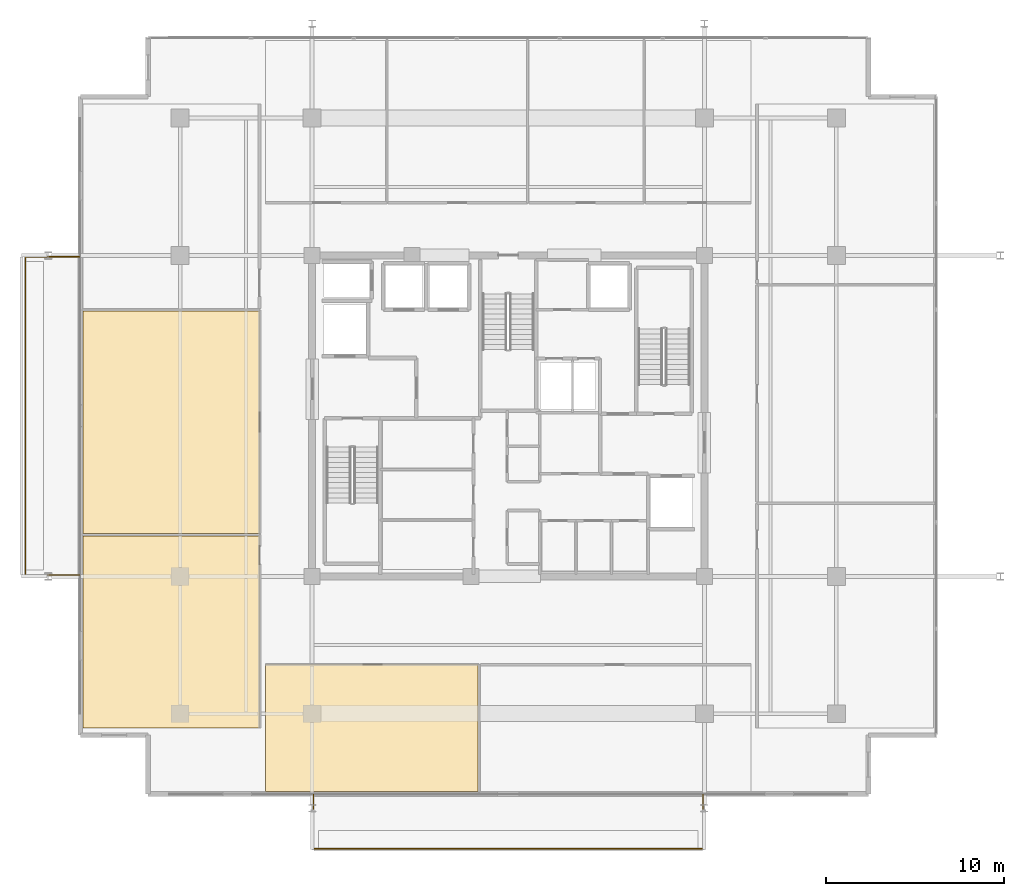
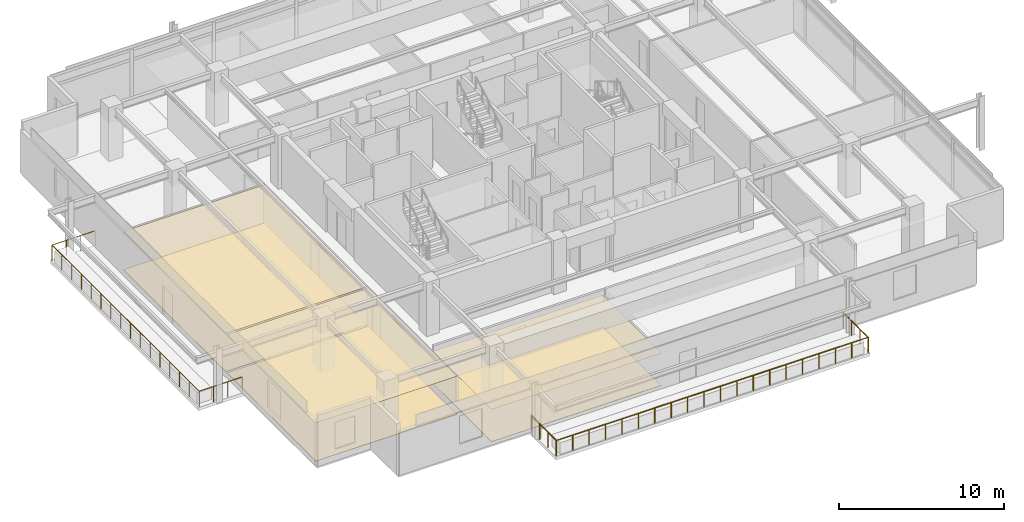
# One storey, part 17 of 20: 6 coverings, 2 railings.
"""IFC4 building model written with IfcOpenShell, lengths in metres."""

from ifc_helpers import new_model, si_unit, direction, frame, origin, origin_2d, place, context, subcontext, project, spatial, polyline, circle, outline, extrude, material, layer, layer_set, type_object, element, save


model = new_model("IFC4")

# Units and contexts
model_context = context("Model", 3, precision=1e-05, world=origin(), true_north=direction((0.0, 1.0)))
body_context = subcontext(model_context, "Body", "Model", "MODEL_VIEW")
ifc_project = project(units=[si_unit("LENGTHUNIT", "METRE"), si_unit("AREAUNIT", "SQUARE_METRE"), si_unit("VOLUMEUNIT", "CUBIC_METRE"), si_unit("PLANEANGLEUNIT", "RADIAN"), si_unit("MASSUNIT", "GRAM", prefix="KILO")], contexts=[model_context])

# Site, building, storey
site_placement = place(None, origin())
site = spatial("IfcSite", under=ifc_project, at=site_placement, CompositionType="ELEMENT")
building_placement = place(site_placement, origin())
building = spatial("IfcBuilding", under=site, at=building_placement, Name="Kovane Verandah Tower", CompositionType="ELEMENT")
storey_placement = place(building_placement, frame((0.0, 0.0, 306.800048828125)))
storey = spatial("IfcBuildingStorey", under=building, at=storey_placement, Name="L71", CompositionType="ELEMENT", Elevation=306.800048828125)

# Coverings
ifc_material_1 = material(Name="Perforated Acoustic Mineral-Fibre Ceiling Tile", Category="gypsum")
ifc_layer_1 = layer(ifc_material_1, 0.02490234375)
ifc_layer_set_1 = layer_set([ifc_layer_1], Name="Perforated Acoustic Mineral-Fibre Ceiling Tile")
covering_type_1 = type_object("IfcCoveringType", Name="CV-CEIL-25", PredefinedType="CEILING", material=ifc_layer_set_1)
covering_1_placement = place(storey_placement, frame((0.0, 0.0, 2.389892578125)))
element("IfcCovering", 1, at=covering_1_placement, inside=storey, type_object=covering_type_1, Name="L71 Collaboration Hub S1 Acoustic Ceiling", PredefinedType="CEILING", context=body_context, shape_type="SweptSolid", body=[
    extrude(outline(polyline([(26.39990234375, 6.449951171875), (38.298095703125, 6.449951171875), (38.298095703125, 13.550048828125), (26.39990234375, 13.550048828125), (26.39990234375, 6.449951171875)])), origin(), (0.0, 0.0, 1.0), 0.025146484375),
])
covering_2_placement = place(storey_placement, frame((0.0, 0.0, 2.824951171875)))
element("IfcCovering", 2, at=covering_2_placement, inside=storey, type_object=covering_type_1, Name="L71 Open Plan Office W1 Acoustic Ceiling", PredefinedType="CEILING", context=body_context, shape_type="SweptSolid", body=[
    extrude(outline(polyline([(16.14990234375, 10.0), (26.050048828125, 10.0), (26.050048828125, 20.780029296875), (16.14990234375, 20.780029296875), (16.14990234375, 10.0)])), origin(), (0.0, 0.0, 1.0), 0.02490234375),
])
covering_3_placement = place(storey_placement, frame((0.0, 0.0, 2.824951171875)))
element("IfcCovering", 3, at=covering_3_placement, inside=storey, type_object=covering_type_1, Name="L71 Executive Office W2 Acoustic Ceiling", PredefinedType="CEILING", context=body_context, shape_type="SweptSolid", body=[
    extrude(outline(polyline([(16.14990234375, 20.919921875), (26.050048828125, 20.919921875), (26.050048828125, 33.3798828125), (16.14990234375, 33.3798828125), (16.14990234375, 20.919921875)])), origin(), (0.0, 0.0, 1.0), 0.02490234375),
])
ifc_material_2 = material(Name="Polished Terrazzo and Raised-Access Carpet Tile Finish", Category="concrete")
ifc_layer_2 = layer(ifc_material_2, 0.030029296875)
ifc_layer_set_2 = layer_set([ifc_layer_2], Name="Polished Terrazzo and Raised-Access Carpet Tile Finish")
covering_type_2 = type_object("IfcCoveringType", Name="CV-FLOR-30", PredefinedType="FLOORING", material=ifc_layer_set_2)
covering_4_placement = place(storey_placement, origin())
element("IfcCovering", 4, at=covering_4_placement, inside=storey, type_object=covering_type_2, Name="L71 Collaboration Hub S1 Floor Finish", PredefinedType="FLOORING", context=body_context, shape_type="SweptSolid", body=[
    extrude(outline(polyline([(26.39990234375, 6.449951171875), (38.298095703125, 6.449951171875), (38.298095703125, 13.550048828125), (26.39990234375, 13.550048828125), (26.39990234375, 6.449951171875)])), origin(), (0.0, 0.0, 1.0), 0.030029296875),
])
covering_5_placement = place(storey_placement, origin())
element("IfcCovering", 5, at=covering_5_placement, inside=storey, type_object=covering_type_2, Name="L71 Open Plan Office W1 Floor Finish", PredefinedType="FLOORING", context=body_context, shape_type="SweptSolid", body=[
    extrude(outline(polyline([(16.14990234375, 10.0), (26.050048828125, 10.0), (26.050048828125, 20.780029296875), (16.14990234375, 20.780029296875), (16.14990234375, 10.0)])), origin(), (0.0, 0.0, 1.0), 0.030029296875),
])
covering_6_placement = place(storey_placement, origin())
element("IfcCovering", 6, at=covering_6_placement, inside=storey, type_object=covering_type_2, Name="L71 Executive Office W2 Floor Finish", PredefinedType="FLOORING", context=body_context, shape_type="SweptSolid", body=[
    extrude(outline(polyline([(16.14990234375, 20.919921875), (26.050048828125, 20.919921875), (26.050048828125, 33.3798828125), (16.14990234375, 33.3798828125), (16.14990234375, 20.919921875)])), origin(), (0.0, 0.0, 1.0), 0.030029296875),
])

# Railings
ifc_material_3 = material(Name="Laminated Glass and Pale-Champagne Stainless Balustrade", Category="glass")
railing_type = type_object("IfcRailingType", Name="RL-BAL-1150", PredefinedType="BALUSTRADE", material=ifc_material_3)
railing_1_placement = place(storey_placement, frame((29.080078125, 6.25, 0.0)))
element("IfcRailing", 7, at=railing_1_placement, inside=storey, type_object=railing_type, Name="L71 S Verandah Glass Balustrade", PredefinedType="BALUSTRADE", context=body_context, shape_type="SweptSolid", body=[
    extrude(circle(Radius=0.02392578125, at=origin_2d()), frame((0.0, 0.0, 1.1259765625), z_axis=(0.0, -1.0, 0.0), x_axis=(1.0, 0.0, 0.0)), (0.0, 0.0, 1.0), 3.02001953125),
    extrude(circle(Radius=0.02392578125, at=origin_2d()), frame((0.0, -3.02001953125, 1.1259765625), z_axis=(1.0, 0.0, 0.0), x_axis=(0.0, 1.0, 0.0)), (0.0, 0.0, 1.0), 21.83984375),
    extrude(circle(Radius=0.02392578125, at=origin_2d()), frame((21.83984375, -3.02001953125, 1.1259765625), z_axis=(0.0, 1.0, 0.0), x_axis=(-1.0, 0.0, 0.0)), (0.0, 0.0, 1.0), 3.02001953125),
    extrude(circle(Radius=0.02099609375, at=origin_2d()), origin(), (0.0, 0.0, 1.0), 1.101806640625),
    extrude(circle(Radius=0.02099609375, at=origin_2d()), frame((0.0, -1.006591796875, 0.0)), (0.0, 0.0, 1.0), 1.101806640625),
    extrude(circle(Radius=0.02099609375, at=origin_2d()), frame((0.0, -2.013427734375, 0.0)), (0.0, 0.0, 1.0), 1.101806640625),
    extrude(circle(Radius=0.02099609375, at=origin_2d()), frame((0.0, -3.02001953125, 0.0)), (0.0, 0.0, 1.0), 1.101806640625),
    extrude(circle(Radius=0.02099609375, at=origin_2d()), frame((1.1494140625, -3.02001953125, 0.0)), (0.0, 0.0, 1.0), 1.101806640625),
    extrude(circle(Radius=0.02099609375, at=origin_2d()), frame((2.298828125, -3.02001953125, 0.0)), (0.0, 0.0, 1.0), 1.101806640625),
    extrude(circle(Radius=0.02099609375, at=origin_2d()), frame((3.448486328125, -3.02001953125, 0.0)), (0.0, 0.0, 1.0), 1.101806640625),
    extrude(circle(Radius=0.02099609375, at=origin_2d()), frame((4.597900390625, -3.02001953125, 0.0)), (0.0, 0.0, 1.0), 1.101806640625),
    extrude(circle(Radius=0.02099609375, at=origin_2d()), frame((5.747314453125, -3.02001953125, 0.0)), (0.0, 0.0, 1.0), 1.101806640625),
    extrude(circle(Radius=0.02099609375, at=origin_2d()), frame((6.896728515625, -3.02001953125, 0.0)), (0.0, 0.0, 1.0), 1.101806640625),
    extrude(circle(Radius=0.02099609375, at=origin_2d()), frame((8.046142578125, -3.02001953125, 0.0)), (0.0, 0.0, 1.0), 1.101806640625),
    extrude(circle(Radius=0.02099609375, at=origin_2d()), frame((9.19580078125, -3.02001953125, 0.0)), (0.0, 0.0, 1.0), 1.101806640625),
    extrude(circle(Radius=0.02099609375, at=origin_2d()), frame((10.34521484375, -3.02001953125, 0.0)), (0.0, 0.0, 1.0), 1.101806640625),
    extrude(circle(Radius=0.02099609375, at=origin_2d()), frame((11.49462890625, -3.02001953125, 0.0)), (0.0, 0.0, 1.0), 1.101806640625),
    extrude(circle(Radius=0.02099609375, at=origin_2d()), frame((12.64404296875, -3.02001953125, 0.0)), (0.0, 0.0, 1.0), 1.101806640625),
    extrude(circle(Radius=0.02099609375, at=origin_2d()), frame((13.793701171875, -3.02001953125, 0.0)), (0.0, 0.0, 1.0), 1.101806640625),
    extrude(circle(Radius=0.02099609375, at=origin_2d()), frame((14.943115234375, -3.02001953125, 0.0)), (0.0, 0.0, 1.0), 1.101806640625),
    extrude(circle(Radius=0.02099609375, at=origin_2d()), frame((16.092529296875, -3.02001953125, 0.0)), (0.0, 0.0, 1.0), 1.101806640625),
    extrude(circle(Radius=0.02099609375, at=origin_2d()), frame((17.241943359375, -3.02001953125, 0.0)), (0.0, 0.0, 1.0), 1.101806640625),
    extrude(circle(Radius=0.02099609375, at=origin_2d()), frame((18.391357421875, -3.02001953125, 0.0)), (0.0, 0.0, 1.0), 1.101806640625),
    extrude(circle(Radius=0.02099609375, at=origin_2d()), frame((19.541015625, -3.02001953125, 0.0)), (0.0, 0.0, 1.0), 1.101806640625),
    extrude(circle(Radius=0.02099609375, at=origin_2d()), frame((20.6904296875, -3.02001953125, 0.0)), (0.0, 0.0, 1.0), 1.101806640625),
    extrude(circle(Radius=0.02099609375, at=origin_2d()), frame((21.83984375, -3.02001953125, 0.0)), (0.0, 0.0, 1.0), 1.101806640625),
    extrude(circle(Radius=0.02099609375, at=origin_2d()), frame((21.83984375, -2.013427734375, 0.0)), (0.0, 0.0, 1.0), 1.101806640625),
    extrude(circle(Radius=0.02099609375, at=origin_2d()), frame((21.83984375, -1.006591796875, 0.0)), (0.0, 0.0, 1.0), 1.101806640625),
    extrude(circle(Radius=0.02099609375, at=origin_2d()), frame((21.83984375, 0.0, 0.0)), (0.0, 0.0, 1.0), 1.101806640625),
])
railing_2_placement = place(storey_placement, frame((15.949951171875, 18.580078125, 0.0)))
element("IfcRailing", 8, at=railing_2_placement, inside=storey, type_object=railing_type, Name="L71 W Verandah Glass Balustrade", PredefinedType="BALUSTRADE", context=body_context, shape_type="SweptSolid", body=[
    extrude(circle(Radius=0.02392578125, at=origin_2d()), frame((0.0, 0.0, 1.1259765625), z_axis=(-1.0, 0.0, 0.0), x_axis=(0.0, -1.0, 0.0)), (0.0, 0.0, 1.0), 3.02001953125),
    extrude(circle(Radius=0.02392578125, at=origin_2d()), frame((-3.02001953125, 0.0, 1.1259765625), z_axis=(0.0, 1.0, 0.0), x_axis=(-1.0, 0.0, 0.0)), (0.0, 0.0, 1.0), 17.83984375),
    extrude(circle(Radius=0.02392578125, at=origin_2d()), frame((-3.02001953125, 17.83984375, 1.1259765625), z_axis=(1.0, 0.0, 0.0), x_axis=(0.0, 1.0, 0.0)), (0.0, 0.0, 1.0), 3.02001953125),
    extrude(circle(Radius=0.02099609375, at=origin_2d()), origin(), (0.0, 0.0, 1.0), 1.101806640625),
    extrude(circle(Radius=0.02099609375, at=origin_2d()), frame((-1.006591796875, 0.0, 0.0)), (0.0, 0.0, 1.0), 1.101806640625),
    extrude(circle(Radius=0.02099609375, at=origin_2d()), frame((-2.013427734375, 0.0, 0.0)), (0.0, 0.0, 1.0), 1.101806640625),
    extrude(circle(Radius=0.02099609375, at=origin_2d()), frame((-3.02001953125, 0.0, 0.0)), (0.0, 0.0, 1.0), 1.101806640625),
    extrude(circle(Radius=0.02099609375, at=origin_2d()), frame((-3.02001953125, 1.189208984375, 0.0)), (0.0, 0.0, 1.0), 1.101806640625),
    extrude(circle(Radius=0.02099609375, at=origin_2d()), frame((-3.02001953125, 2.378662109375, 0.0)), (0.0, 0.0, 1.0), 1.101806640625),
    extrude(circle(Radius=0.02099609375, at=origin_2d()), frame((-3.02001953125, 3.56787109375, 0.0)), (0.0, 0.0, 1.0), 1.101806640625),
    extrude(circle(Radius=0.02099609375, at=origin_2d()), frame((-3.02001953125, 4.75732421875, 0.0)), (0.0, 0.0, 1.0), 1.101806640625),
    extrude(circle(Radius=0.02099609375, at=origin_2d()), frame((-3.02001953125, 5.946533203125, 0.0)), (0.0, 0.0, 1.0), 1.101806640625),
    extrude(circle(Radius=0.02099609375, at=origin_2d()), frame((-3.02001953125, 7.135986328125, 0.0)), (0.0, 0.0, 1.0), 1.101806640625),
    extrude(circle(Radius=0.02099609375, at=origin_2d()), frame((-3.02001953125, 8.3251953125, 0.0)), (0.0, 0.0, 1.0), 1.101806640625),
    extrude(circle(Radius=0.02099609375, at=origin_2d()), frame((-3.02001953125, 9.5146484375, 0.0)), (0.0, 0.0, 1.0), 1.101806640625),
    extrude(circle(Radius=0.02099609375, at=origin_2d()), frame((-3.02001953125, 10.703857421875, 0.0)), (0.0, 0.0, 1.0), 1.101806640625),
    extrude(circle(Radius=0.02099609375, at=origin_2d()), frame((-3.02001953125, 11.893310546875, 0.0)), (0.0, 0.0, 1.0), 1.101806640625),
    extrude(circle(Radius=0.02099609375, at=origin_2d()), frame((-3.02001953125, 13.08251953125, 0.0)), (0.0, 0.0, 1.0), 1.101806640625),
    extrude(circle(Radius=0.02099609375, at=origin_2d()), frame((-3.02001953125, 14.27197265625, 0.0)), (0.0, 0.0, 1.0), 1.101806640625),
    extrude(circle(Radius=0.02099609375, at=origin_2d()), frame((-3.02001953125, 15.461181640625, 0.0)), (0.0, 0.0, 1.0), 1.101806640625),
    extrude(circle(Radius=0.02099609375, at=origin_2d()), frame((-3.02001953125, 16.650634765625, 0.0)), (0.0, 0.0, 1.0), 1.101806640625),
    extrude(circle(Radius=0.02099609375, at=origin_2d()), frame((-3.02001953125, 17.83984375, 0.0)), (0.0, 0.0, 1.0), 1.101806640625),
    extrude(circle(Radius=0.02099609375, at=origin_2d()), frame((-2.013427734375, 17.83984375, 0.0)), (0.0, 0.0, 1.0), 1.101806640625),
    extrude(circle(Radius=0.02099609375, at=origin_2d()), frame((-1.006591796875, 17.83984375, 0.0)), (0.0, 0.0, 1.0), 1.101806640625),
    extrude(circle(Radius=0.02099609375, at=origin_2d()), frame((0.0, 17.83984375, 0.0)), (0.0, 0.0, 1.0), 1.101806640625),
])

save(model, "model.ifc")
